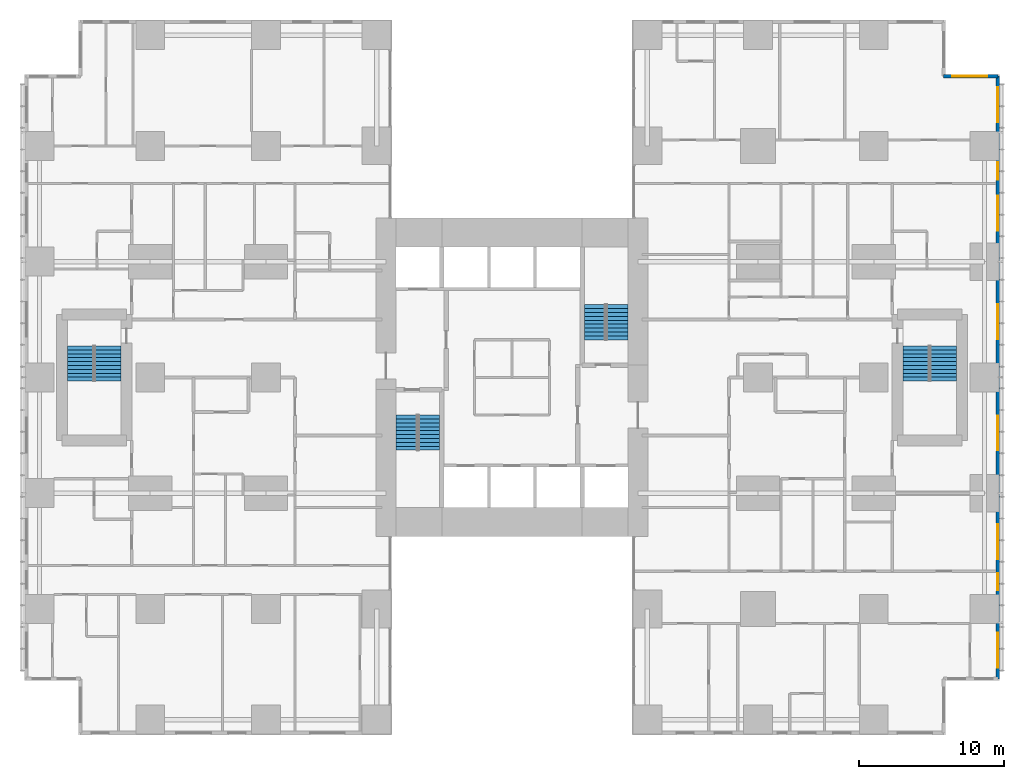
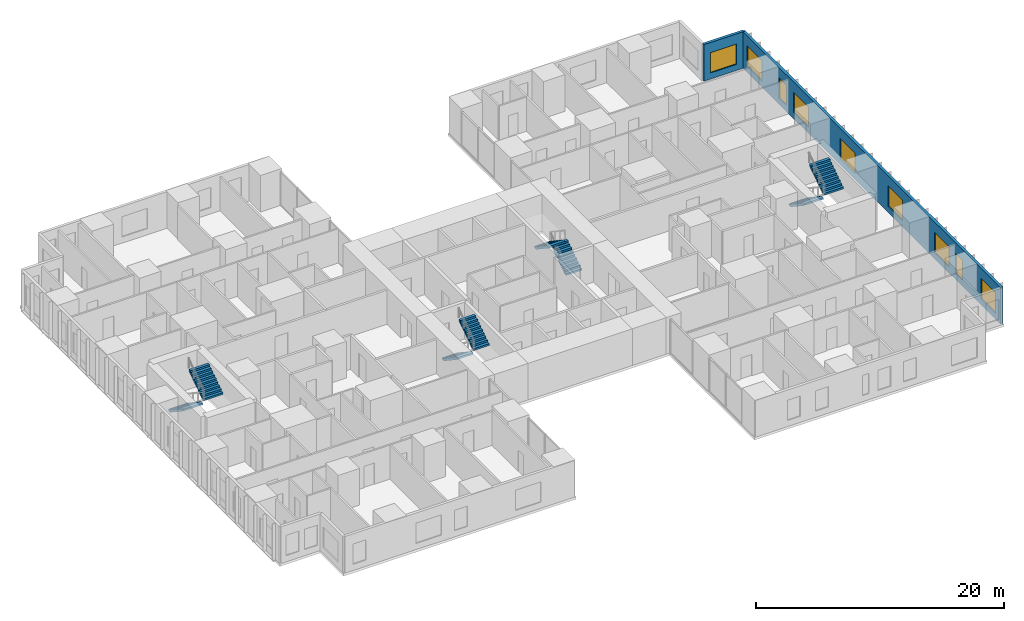
# One storey, part 19 of 20: 9 windows, 8 stair flights, 2 walls, 9 openings, 4 elements without a shape of their own.
"""IFC4 building model written with IfcOpenShell, lengths in metres."""

from ifc_helpers import new_model, si_unit, direction, frame, frame_2d, origin, place, context, subcontext, project, spatial, polyline, rectangle, outline, extrude, material, layer, layer_set, type_object, element, fill, aggregate, save


model = new_model("IFC4")

# Units and contexts
model_context = context("Model", 3, precision=1e-05, world=origin(), true_north=direction((0.0, 1.0)))
body_context = subcontext(model_context, "Body", "Model", "MODEL_VIEW")
ifc_project = project(units=[si_unit("LENGTHUNIT", "METRE"), si_unit("AREAUNIT", "SQUARE_METRE"), si_unit("VOLUMEUNIT", "CUBIC_METRE"), si_unit("PLANEANGLEUNIT", "RADIAN"), si_unit("MASSUNIT", "GRAM", prefix="KILO")], contexts=[model_context])

# Site, building, storey
site_placement = place(None, origin())
site = spatial("IfcSite", under=ifc_project, at=site_placement, CompositionType="ELEMENT")
building_placement = place(site_placement, origin())
building = spatial("IfcBuilding", under=site, at=building_placement, Name="Cleftline Residences", CompositionType="ELEMENT")
storey_placement = place(building_placement, frame((0.0, 0.0, 76.39990234375)))
storey = spatial("IfcBuildingStorey", under=building, at=storey_placement, Name="L19", CompositionType="ELEMENT", Elevation=76.39990234375)

# Wall, openings, windows
ifc_material_1 = material(Name="Rendered reinforced concrete blockwork", Category="masonry")
ifc_layer = layer(ifc_material_1, 0.25)
ifc_layer_set = layer_set([ifc_layer], Name="EXTERNAL WALL 250")
wall_type = type_object("IfcWallType", Name="EXTERNAL WALL 250", PredefinedType="SOLIDWALL", material=ifc_layer_set)
wall_1_placement = place(storey_placement, frame((66.574951171875, 3.175048828125, 0.0), z_axis=(0.0, 0.0, 1.0), x_axis=(0.0, 1.0, 0.0)))
wall_1 = element("IfcWall", 1, at=wall_1_placement, inside=storey, type_object=wall_type, Name="External wall", PredefinedType="SOLIDWALL", context=body_context, shape_type="SweptSolid", body=[
    extrude(rectangle(XDim=41.64990234375, YDim=0.25, at=frame_2d((20.824951171875, 0.0))), origin(), (0.0, 0.0, 1.0), 3.60009765625),
])
opening_1_placement = place(wall_1_placement, frame((0.77490234375, 0.0, 0.60009765625)))
opening_1 = element("IfcOpeningElement", 2, at=opening_1_placement, cuts=wall_1, Name="Opening W6", PredefinedType="OPENING", context=body_context, shape_type="SweptSolid", body=[
    extrude(rectangle(XDim=2.39990234375, YDim=2.0, at=frame_2d((1.199951171875, 1.0))), frame((0.0, 0.135009765625, 0.0), z_axis=(0.0, -1.0, 0.0), x_axis=(1.0, 0.0, 0.0)), (0.0, 0.0, 1.0), 0.27001953125),
])
opening_2_placement = place(wall_1_placement, frame((6.10009765625, 0.0, 0.60009765625)))
opening_2 = element("IfcOpeningElement", 3, at=opening_2_placement, cuts=wall_1, Name="Opening W8", PredefinedType="OPENING", context=body_context, shape_type="SweptSolid", body=[
    extrude(rectangle(XDim=1.199951171875, YDim=2.0, at=frame_2d((0.60009765625, 1.0))), frame((0.0, 0.135009765625, 0.0), z_axis=(0.0, -1.0, 0.0), x_axis=(1.0, 0.0, 0.0)), (0.0, 0.0, 1.0), 0.27001953125),
])
opening_3_placement = place(wall_1_placement, frame((8.27490234375, 0.0, 0.60009765625)))
opening_3 = element("IfcOpeningElement", 4, at=opening_3_placement, cuts=wall_1, Name="Opening W6", PredefinedType="OPENING", context=body_context, shape_type="SweptSolid", body=[
    extrude(rectangle(XDim=2.39990234375, YDim=2.0, at=frame_2d((1.199951171875, 1.0))), frame((0.0, 0.135009765625, 0.0), z_axis=(0.0, -1.0, 0.0), x_axis=(1.0, 0.0, 0.0)), (0.0, 0.0, 1.0), 0.27001953125),
])
opening_4_placement = place(wall_1_placement, frame((15.77490234375, 0.0, 0.60009765625)))
opening_4 = element("IfcOpeningElement", 5, at=opening_4_placement, cuts=wall_1, Name="Opening W6", PredefinedType="OPENING", context=body_context, shape_type="SweptSolid", body=[
    extrude(rectangle(XDim=2.39990234375, YDim=2.0, at=frame_2d((1.199951171875, 1.0))), frame((0.0, 0.135009765625, 0.0), z_axis=(0.0, -1.0, 0.0), x_axis=(1.0, 0.0, 0.0)), (0.0, 0.0, 1.0), 0.27001953125),
])
opening_5_placement = place(wall_1_placement, frame((23.47509765625, 0.0, 0.60009765625)))
opening_5 = element("IfcOpeningElement", 6, at=opening_5_placement, cuts=wall_1, Name="Opening W6", PredefinedType="OPENING", context=body_context, shape_type="SweptSolid", body=[
    extrude(rectangle(XDim=2.39990234375, YDim=2.0, at=frame_2d((1.199951171875, 1.0))), frame((0.0, 0.135009765625, 0.0), z_axis=(0.0, -1.0, 0.0), x_axis=(1.0, 0.0, 0.0)), (0.0, 0.0, 1.0), 0.27001953125),
])
opening_6_placement = place(wall_1_placement, frame((30.97509765625, 0.0, 0.60009765625)))
opening_6 = element("IfcOpeningElement", 7, at=opening_6_placement, cuts=wall_1, Name="Opening W6", PredefinedType="OPENING", context=body_context, shape_type="SweptSolid", body=[
    extrude(rectangle(XDim=2.39990234375, YDim=2.0, at=frame_2d((1.199951171875, 1.0))), frame((0.0, 0.135009765625, 0.0), z_axis=(0.0, -1.0, 0.0), x_axis=(1.0, 0.0, 0.0)), (0.0, 0.0, 1.0), 0.27001953125),
])
opening_7_placement = place(wall_1_placement, frame((34.5, 0.0, 0.60009765625)))
opening_7 = element("IfcOpeningElement", 8, at=opening_7_placement, cuts=wall_1, Name="Opening W8", PredefinedType="OPENING", context=body_context, shape_type="SweptSolid", body=[
    extrude(rectangle(XDim=1.199951171875, YDim=2.0, at=frame_2d((0.60009765625, 1.0))), frame((0.0, 0.135009765625, 0.0), z_axis=(0.0, -1.0, 0.0), x_axis=(1.0, 0.0, 0.0)), (0.0, 0.0, 1.0), 0.27001953125),
])
opening_8_placement = place(wall_1_placement, frame((38.47509765625, 0.0, 0.60009765625)))
opening_8 = element("IfcOpeningElement", 9, at=opening_8_placement, cuts=wall_1, Name="Opening W6", PredefinedType="OPENING", context=body_context, shape_type="SweptSolid", body=[
    extrude(rectangle(XDim=2.39990234375, YDim=2.0, at=frame_2d((1.199951171875, 1.0))), frame((0.0, 0.135009765625, 0.0), z_axis=(0.0, -1.0, 0.0), x_axis=(1.0, 0.0, 0.0)), (0.0, 0.0, 1.0), 0.27001953125),
])
ifc_material_2 = material(Name="Aluminium frame, clear double glazing", Category="aluminium")
window_type_1 = type_object("IfcWindowType", Name="WINDOW 1200X2000", PartitioningType="DOUBLE_PANEL_VERTICAL", PredefinedType="WINDOW", material=ifc_material_2)
window_1_placement = place(opening_2_placement, origin())
window_1 = element("IfcWindow", 10, at=window_1_placement, inside=storey, type_object=window_type_1, Name="Window", OverallHeight=2.0, OverallWidth=1.199951171875, PartitioningType="SINGLE_PANEL", PredefinedType="WINDOW", context=body_context, shape_type="SweptSolid", body=[
    extrude(rectangle(XDim=1.199951171875, YDim=2.0, at=frame_2d((0.60009765625, 1.0))), frame((0.0, 0.030029296875, 0.0), z_axis=(0.0, -1.0, 0.0), x_axis=(1.0, 0.0, 0.0)), (0.0, 0.0, 1.0), 0.06005859375),
])
fill(opening_2, window_1)
window_2_placement = place(opening_7_placement, origin())
window_2 = element("IfcWindow", 11, at=window_2_placement, inside=storey, type_object=window_type_1, Name="Window", OverallHeight=2.0, OverallWidth=1.199951171875, PartitioningType="SINGLE_PANEL", PredefinedType="WINDOW", context=body_context, shape_type="SweptSolid", body=[
    extrude(rectangle(XDim=1.199951171875, YDim=2.0, at=frame_2d((0.60009765625, 1.0))), frame((0.0, 0.030029296875, 0.0), z_axis=(0.0, -1.0, 0.0), x_axis=(1.0, 0.0, 0.0)), (0.0, 0.0, 1.0), 0.06005859375),
])
fill(opening_7, window_2)
ifc_material_3 = material(Name="Aluminium frame, clear double glazing", Category="aluminium")
window_type_2 = type_object("IfcWindowType", Name="WINDOW 2400X2000", PartitioningType="DOUBLE_PANEL_VERTICAL", PredefinedType="WINDOW", material=ifc_material_3)
window_3_placement = place(opening_1_placement, origin())
window_3 = element("IfcWindow", 12, at=window_3_placement, inside=storey, type_object=window_type_2, Name="Window", OverallHeight=2.0, OverallWidth=2.39990234375, PartitioningType="SINGLE_PANEL", PredefinedType="WINDOW", context=body_context, shape_type="SweptSolid", body=[
    extrude(rectangle(XDim=2.39990234375, YDim=2.0, at=frame_2d((1.199951171875, 1.0))), frame((0.0, 0.030029296875, 0.0), z_axis=(0.0, -1.0, 0.0), x_axis=(1.0, 0.0, 0.0)), (0.0, 0.0, 1.0), 0.06005859375),
])
fill(opening_1, window_3)
window_4_placement = place(opening_3_placement, origin())
window_4 = element("IfcWindow", 13, at=window_4_placement, inside=storey, type_object=window_type_2, Name="Window", OverallHeight=2.0, OverallWidth=2.39990234375, PartitioningType="SINGLE_PANEL", PredefinedType="WINDOW", context=body_context, shape_type="SweptSolid", body=[
    extrude(rectangle(XDim=2.39990234375, YDim=2.0, at=frame_2d((1.199951171875, 1.0))), frame((0.0, 0.030029296875, 0.0), z_axis=(0.0, -1.0, 0.0), x_axis=(1.0, 0.0, 0.0)), (0.0, 0.0, 1.0), 0.06005859375),
])
fill(opening_3, window_4)
window_5_placement = place(opening_4_placement, origin())
window_5 = element("IfcWindow", 14, at=window_5_placement, inside=storey, type_object=window_type_2, Name="Window", OverallHeight=2.0, OverallWidth=2.39990234375, PartitioningType="SINGLE_PANEL", PredefinedType="WINDOW", context=body_context, shape_type="SweptSolid", body=[
    extrude(rectangle(XDim=2.39990234375, YDim=2.0, at=frame_2d((1.199951171875, 1.0))), frame((0.0, 0.030029296875, 0.0), z_axis=(0.0, -1.0, 0.0), x_axis=(1.0, 0.0, 0.0)), (0.0, 0.0, 1.0), 0.06005859375),
])
fill(opening_4, window_5)
window_6_placement = place(opening_5_placement, origin())
window_6 = element("IfcWindow", 15, at=window_6_placement, inside=storey, type_object=window_type_2, Name="Window", OverallHeight=2.0, OverallWidth=2.39990234375, PartitioningType="SINGLE_PANEL", PredefinedType="WINDOW", context=body_context, shape_type="SweptSolid", body=[
    extrude(rectangle(XDim=2.39990234375, YDim=2.0, at=frame_2d((1.199951171875, 1.0))), frame((0.0, 0.030029296875, 0.0), z_axis=(0.0, -1.0, 0.0), x_axis=(1.0, 0.0, 0.0)), (0.0, 0.0, 1.0), 0.06005859375),
])
fill(opening_5, window_6)
window_7_placement = place(opening_6_placement, origin())
window_7 = element("IfcWindow", 16, at=window_7_placement, inside=storey, type_object=window_type_2, Name="Window", OverallHeight=2.0, OverallWidth=2.39990234375, PartitioningType="SINGLE_PANEL", PredefinedType="WINDOW", context=body_context, shape_type="SweptSolid", body=[
    extrude(rectangle(XDim=2.39990234375, YDim=2.0, at=frame_2d((1.199951171875, 1.0))), frame((0.0, 0.030029296875, 0.0), z_axis=(0.0, -1.0, 0.0), x_axis=(1.0, 0.0, 0.0)), (0.0, 0.0, 1.0), 0.06005859375),
])
fill(opening_6, window_7)
window_8_placement = place(opening_8_placement, origin())
window_8 = element("IfcWindow", 17, at=window_8_placement, inside=storey, type_object=window_type_2, Name="Window", OverallHeight=2.0, OverallWidth=2.39990234375, PartitioningType="SINGLE_PANEL", PredefinedType="WINDOW", context=body_context, shape_type="SweptSolid", body=[
    extrude(rectangle(XDim=2.39990234375, YDim=2.0, at=frame_2d((1.199951171875, 1.0))), frame((0.0, 0.030029296875, 0.0), z_axis=(0.0, -1.0, 0.0), x_axis=(1.0, 0.0, 0.0)), (0.0, 0.0, 1.0), 0.06005859375),
])
fill(opening_8, window_8)

# Wall, opening, window
wall_2_placement = place(storey_placement, frame((66.574951171875, 44.824951171875, 0.0), z_axis=(0.0, 0.0, 1.0), x_axis=(-1.0, 0.0, 0.0)))
wall_2 = element("IfcWall", 18, at=wall_2_placement, inside=storey, type_object=wall_type, Name="External wall", PredefinedType="SOLIDWALL", context=body_context, shape_type="SweptSolid", body=[
    extrude(rectangle(XDim=3.75, YDim=0.25, at=frame_2d((1.875, 0.0))), origin(), (0.0, 0.0, 1.0), 3.60009765625),
])
opening_9_placement = place(wall_2_placement, frame((0.737548828125, 0.0, 0.60009765625)))
opening_9 = element("IfcOpeningElement", 19, at=opening_9_placement, cuts=wall_2, Name="Opening W6", PredefinedType="OPENING", context=body_context, shape_type="SweptSolid", body=[
    extrude(rectangle(XDim=2.39990234375, YDim=2.0, at=frame_2d((1.199951171875, 1.0))), frame((0.0, 0.135009765625, 0.0), z_axis=(0.0, -1.0, 0.0), x_axis=(1.0, 0.0, 0.0)), (0.0, 0.0, 1.0), 0.27001953125),
])
window_9_placement = place(opening_9_placement, origin())
window_9 = element("IfcWindow", 20, at=window_9_placement, inside=storey, type_object=window_type_2, Name="Window", OverallHeight=2.0, OverallWidth=2.39990234375, PartitioningType="SINGLE_PANEL", PredefinedType="WINDOW", context=body_context, shape_type="SweptSolid", body=[
    extrude(rectangle(XDim=2.39990234375, YDim=2.0, at=frame_2d((1.199951171875, 1.0))), frame((0.0, 0.030029296875, 0.0), z_axis=(0.0, -1.0, 0.0), x_axis=(1.0, 0.0, 0.0)), (0.0, 0.0, 1.0), 0.06005859375),
])
fill(opening_9, window_9)

# Stair, stair flights
ifc_material_4 = material(Name="Concrete B45, stone treads", Category="masonry")
stair_type_1 = type_object("IfcStairType", Name="STAIR A 1450 WIDE 180 RISER", PredefinedType="HALF_TURN_STAIR", material=ifc_material_4)
stair_1_placement = place(storey_placement, origin())
stair_1 = element("IfcStair", 21, at=stair_1_placement, inside=storey, type_object=stair_type_1, Name="Stair A L19", PredefinedType="HALF_TURN_STAIR")
ifc_material_5 = material(Name="Concrete B45", Category="concrete")
stair_flight_type_1 = type_object("IfcStairFlightType", Name="STAIR A FLIGHT 1450X180", PredefinedType="STRAIGHT", material=ifc_material_5)
stair_flight_1_placement = place(storey_placement, frame((25.72509765625, 21.39990234375, 0.0), z_axis=(0.0, 0.0, 1.0), x_axis=(0.0, -1.0, 0.0)))
stair_flight_1 = element("IfcStairFlight", 22, at=stair_flight_1_placement, type_object=stair_flight_type_1, Name="ST-A flight 1", NumberOfRisers=10, NumberOfTreads=9, PredefinedType="STRAIGHT", RiserHeight=0.18, TreadLength=0.27, context=body_context, shape_type="SweptSolid", body=[
    extrude(outline(polyline([(0.0, 0.0), (0.0, 0.013916015625), (0.0, 0.027587890625), (0.0, 0.04150390625), (0.0, 0.055419921875), (0.0, 0.0693359375), (0.0, 0.0830078125), (0.0, 0.096923828125), (0.0, 0.11083984375), (0.0, 0.12451171875), (0.0, 0.138427734375), (0.0, 0.15234375), (0.0, 0.166259765625), (0.0, 0.179931640625), (0.27001953125, 0.179931640625), (0.27001953125, 0.360107421875), (0.5400390625, 0.360107421875), (0.5400390625, 0.5400390625), (0.81005859375, 0.5400390625), (0.81005859375, 0.719970703125), (1.080078125, 0.719970703125), (1.080078125, 0.89990234375), (1.35009765625, 0.89990234375), (1.35009765625, 1.080078125), (1.6201171875, 1.080078125), (1.6201171875, 1.260009765625), (1.889892578125, 1.260009765625), (1.889892578125, 1.43994140625), (2.159912109375, 1.43994140625), (2.159912109375, 1.6201171875), (2.429931640625, 1.6201171875), (2.429931640625, 1.800048828125), (2.429931640625, 1.772216796875), (2.429931640625, 1.74462890625), (2.429931640625, 1.716796875), (2.429931640625, 1.689208984375), (2.429931640625, 1.661376953125), (2.429931640625, 1.6337890625), (2.429931640625, 1.60595703125), (2.429931640625, 1.578369140625), (2.429931640625, 1.550537109375), (2.429931640625, 1.52294921875), (2.429931640625, 1.495361328125), (2.429931640625, 1.467529296875), (2.429931640625, 1.43994140625), (0.270263671875, 0.0), (0.0, 0.0)])), frame((0.0, 0.72509765625, 0.0), z_axis=(0.0, -1.0, 0.0), x_axis=(1.0, 0.0, 0.0)), (0.0, 0.0, 1.0), 1.449951171875),
])
stair_flight_2_placement = place(storey_placement, frame((27.27490234375, 18.969970703125, 1.800048828125), z_axis=(0.0, 0.0, 1.0), x_axis=(0.0, 1.0, 0.0)))
stair_flight_2 = element("IfcStairFlight", 23, at=stair_flight_2_placement, type_object=stair_flight_type_1, Name="ST-A flight 2", NumberOfRisers=10, NumberOfTreads=9, PredefinedType="STRAIGHT", RiserHeight=0.18, TreadLength=0.27, context=body_context, shape_type="SweptSolid", body=[
    extrude(outline(polyline([(0.0, 0.0), (0.0, 0.013916015625), (0.0, 0.027587890625), (0.0, 0.04150390625), (0.0, 0.055419921875), (0.0, 0.0693359375), (0.0, 0.0830078125), (0.0, 0.096923828125), (0.0, 0.11083984375), (0.0, 0.12451171875), (0.0, 0.138427734375), (0.0, 0.15234375), (0.0, 0.166259765625), (0.0, 0.179931640625), (0.27001953125, 0.179931640625), (0.27001953125, 0.360107421875), (0.5400390625, 0.360107421875), (0.5400390625, 0.5400390625), (0.81005859375, 0.5400390625), (0.81005859375, 0.719970703125), (1.080078125, 0.719970703125), (1.080078125, 0.89990234375), (1.35009765625, 0.89990234375), (1.35009765625, 1.080078125), (1.6201171875, 1.080078125), (1.6201171875, 1.260009765625), (1.889892578125, 1.260009765625), (1.889892578125, 1.43994140625), (2.159912109375, 1.43994140625), (2.159912109375, 1.6201171875), (2.429931640625, 1.6201171875), (2.429931640625, 1.800048828125), (2.429931640625, 1.772216796875), (2.429931640625, 1.74462890625), (2.429931640625, 1.716796875), (2.429931640625, 1.689208984375), (2.429931640625, 1.661376953125), (2.429931640625, 1.6337890625), (2.429931640625, 1.60595703125), (2.429931640625, 1.578369140625), (2.429931640625, 1.550537109375), (2.429931640625, 1.52294921875), (2.429931640625, 1.495361328125), (2.429931640625, 1.467529296875), (2.429931640625, 1.43994140625), (0.270263671875, 0.0), (0.0, 0.0)])), frame((0.0, 0.72509765625, 0.0), z_axis=(0.0, -1.0, 0.0), x_axis=(1.0, 0.0, 0.0)), (0.0, 0.0, 1.0), 1.449951171875),
])
aggregate(stair_1, [stair_flight_1, stair_flight_2])

ifc_material_6 = material(Name="Concrete B45, stone treads", Category="masonry")
stair_type_2 = type_object("IfcStairType", Name="STAIR B 1450 WIDE 180 RISER", PredefinedType="HALF_TURN_STAIR", material=ifc_material_6)
stair_2_placement = place(storey_placement, origin())
stair_2 = element("IfcStair", 24, at=stair_2_placement, inside=storey, type_object=stair_type_2, Name="Stair B L19", PredefinedType="HALF_TURN_STAIR")
ifc_material_7 = material(Name="Concrete B45", Category="concrete")
stair_flight_type_2 = type_object("IfcStairFlightType", Name="STAIR B FLIGHT 1450X180", PredefinedType="STRAIGHT", material=ifc_material_7)
stair_flight_3_placement = place(storey_placement, frame((40.27490234375, 26.60009765625, 0.0), z_axis=(0.0, 0.0, 1.0), x_axis=(0.0, 1.0, 0.0)))
stair_flight_3 = element("IfcStairFlight", 25, at=stair_flight_3_placement, type_object=stair_flight_type_2, Name="ST-B flight 1", NumberOfRisers=10, NumberOfTreads=9, PredefinedType="STRAIGHT", RiserHeight=0.18, TreadLength=0.27, context=body_context, shape_type="SweptSolid", body=[
    extrude(outline(polyline([(0.0, 0.0), (0.0, 0.013916015625), (0.0, 0.027587890625), (0.0, 0.04150390625), (0.0, 0.055419921875), (0.0, 0.0693359375), (0.0, 0.0830078125), (0.0, 0.096923828125), (0.0, 0.11083984375), (0.0, 0.12451171875), (0.0, 0.138427734375), (0.0, 0.15234375), (0.0, 0.166259765625), (0.0, 0.179931640625), (0.27001953125, 0.179931640625), (0.27001953125, 0.360107421875), (0.5400390625, 0.360107421875), (0.5400390625, 0.5400390625), (0.81005859375, 0.5400390625), (0.81005859375, 0.719970703125), (1.080078125, 0.719970703125), (1.080078125, 0.89990234375), (1.35009765625, 0.89990234375), (1.35009765625, 1.080078125), (1.6201171875, 1.080078125), (1.6201171875, 1.260009765625), (1.889892578125, 1.260009765625), (1.889892578125, 1.43994140625), (2.159912109375, 1.43994140625), (2.159912109375, 1.6201171875), (2.429931640625, 1.6201171875), (2.429931640625, 1.800048828125), (2.429931640625, 1.772216796875), (2.429931640625, 1.74462890625), (2.429931640625, 1.716796875), (2.429931640625, 1.689208984375), (2.429931640625, 1.661376953125), (2.429931640625, 1.6337890625), (2.429931640625, 1.60595703125), (2.429931640625, 1.578369140625), (2.429931640625, 1.550537109375), (2.429931640625, 1.52294921875), (2.429931640625, 1.495361328125), (2.429931640625, 1.467529296875), (2.429931640625, 1.43994140625), (0.270263671875, 0.0), (0.0, 0.0)])), frame((0.0, 0.72509765625, 0.0), z_axis=(0.0, -1.0, 0.0), x_axis=(1.0, 0.0, 0.0)), (0.0, 0.0, 1.0), 1.449951171875),
])
stair_flight_4_placement = place(storey_placement, frame((38.72509765625, 29.030029296875, 1.800048828125), z_axis=(0.0, 0.0, 1.0), x_axis=(0.0, -1.0, 0.0)))
stair_flight_4 = element("IfcStairFlight", 26, at=stair_flight_4_placement, type_object=stair_flight_type_2, Name="ST-B flight 2", NumberOfRisers=10, NumberOfTreads=9, PredefinedType="STRAIGHT", RiserHeight=0.18, TreadLength=0.27, context=body_context, shape_type="SweptSolid", body=[
    extrude(outline(polyline([(0.0, 0.0), (0.0, 0.013916015625), (0.0, 0.027587890625), (0.0, 0.04150390625), (0.0, 0.055419921875), (0.0, 0.0693359375), (0.0, 0.0830078125), (0.0, 0.096923828125), (0.0, 0.11083984375), (0.0, 0.12451171875), (0.0, 0.138427734375), (0.0, 0.15234375), (0.0, 0.166259765625), (0.0, 0.179931640625), (0.27001953125, 0.179931640625), (0.27001953125, 0.360107421875), (0.5400390625, 0.360107421875), (0.5400390625, 0.5400390625), (0.81005859375, 0.5400390625), (0.81005859375, 0.719970703125), (1.080078125, 0.719970703125), (1.080078125, 0.89990234375), (1.35009765625, 0.89990234375), (1.35009765625, 1.080078125), (1.6201171875, 1.080078125), (1.6201171875, 1.260009765625), (1.889892578125, 1.260009765625), (1.889892578125, 1.43994140625), (2.159912109375, 1.43994140625), (2.159912109375, 1.6201171875), (2.429931640625, 1.6201171875), (2.429931640625, 1.800048828125), (2.429931640625, 1.772216796875), (2.429931640625, 1.74462890625), (2.429931640625, 1.716796875), (2.429931640625, 1.689208984375), (2.429931640625, 1.661376953125), (2.429931640625, 1.6337890625), (2.429931640625, 1.60595703125), (2.429931640625, 1.578369140625), (2.429931640625, 1.550537109375), (2.429931640625, 1.52294921875), (2.429931640625, 1.495361328125), (2.429931640625, 1.467529296875), (2.429931640625, 1.43994140625), (0.270263671875, 0.0), (0.0, 0.0)])), frame((0.0, 0.72509765625, 0.0), z_axis=(0.0, -1.0, 0.0), x_axis=(1.0, 0.0, 0.0)), (0.0, 0.0, 1.0), 1.449951171875),
])
aggregate(stair_2, [stair_flight_3, stair_flight_4])

ifc_material_8 = material(Name="Concrete B45, stone treads", Category="masonry")
stair_type_3 = type_object("IfcStairType", Name="STAIR E 1800 WIDE 180 RISER", PredefinedType="HALF_TURN_STAIR", material=ifc_material_8)
stair_3_placement = place(storey_placement, origin())
stair_3 = element("IfcStair", 27, at=stair_3_placement, inside=storey, type_object=stair_type_3, Name="Stair E L19", PredefinedType="HALF_TURN_STAIR")
ifc_material_9 = material(Name="Concrete B45", Category="concrete")
stair_flight_type_3 = type_object("IfcStairFlightType", Name="STAIR E FLIGHT 1800X180", PredefinedType="STRAIGHT", material=ifc_material_9)
stair_flight_5_placement = place(storey_placement, frame((60.925048828125, 26.175048828125, 0.0), z_axis=(0.0, 0.0, 1.0), x_axis=(0.0, -1.0, 0.0)))
stair_flight_5 = element("IfcStairFlight", 28, at=stair_flight_5_placement, type_object=stair_flight_type_3, Name="ST-E flight 1", NumberOfRisers=10, NumberOfTreads=9, PredefinedType="STRAIGHT", RiserHeight=0.18, TreadLength=0.27, context=body_context, shape_type="SweptSolid", body=[
    extrude(outline(polyline([(0.0, 0.0), (0.0, 0.013916015625), (0.0, 0.027587890625), (0.0, 0.04150390625), (0.0, 0.055419921875), (0.0, 0.0693359375), (0.0, 0.0830078125), (0.0, 0.096923828125), (0.0, 0.11083984375), (0.0, 0.12451171875), (0.0, 0.138427734375), (0.0, 0.15234375), (0.0, 0.166259765625), (0.0, 0.179931640625), (0.27001953125, 0.179931640625), (0.27001953125, 0.360107421875), (0.5400390625, 0.360107421875), (0.5400390625, 0.5400390625), (0.81005859375, 0.5400390625), (0.81005859375, 0.719970703125), (1.080078125, 0.719970703125), (1.080078125, 0.89990234375), (1.35009765625, 0.89990234375), (1.35009765625, 1.080078125), (1.6201171875, 1.080078125), (1.6201171875, 1.260009765625), (1.889892578125, 1.260009765625), (1.889892578125, 1.43994140625), (2.159912109375, 1.43994140625), (2.159912109375, 1.6201171875), (2.429931640625, 1.6201171875), (2.429931640625, 1.800048828125), (2.429931640625, 1.772216796875), (2.429931640625, 1.74462890625), (2.429931640625, 1.716796875), (2.429931640625, 1.689208984375), (2.429931640625, 1.661376953125), (2.429931640625, 1.6337890625), (2.429931640625, 1.60595703125), (2.429931640625, 1.578369140625), (2.429931640625, 1.550537109375), (2.429931640625, 1.52294921875), (2.429931640625, 1.495361328125), (2.429931640625, 1.467529296875), (2.429931640625, 1.43994140625), (0.270263671875, 0.0), (0.0, 0.0)])), frame((0.0, 0.89990234375, 0.0), z_axis=(0.0, -1.0, 0.0), x_axis=(1.0, 0.0, 0.0)), (0.0, 0.0, 1.0), 1.800048828125),
])
stair_flight_6_placement = place(storey_placement, frame((62.824951171875, 23.7451171875, 1.800048828125), z_axis=(0.0, 0.0, 1.0), x_axis=(0.0, 1.0, 0.0)))
stair_flight_6 = element("IfcStairFlight", 29, at=stair_flight_6_placement, type_object=stair_flight_type_3, Name="ST-E flight 2", NumberOfRisers=10, NumberOfTreads=9, PredefinedType="STRAIGHT", RiserHeight=0.18, TreadLength=0.27, context=body_context, shape_type="SweptSolid", body=[
    extrude(outline(polyline([(0.0, 0.0), (0.0, 0.013916015625), (0.0, 0.027587890625), (0.0, 0.04150390625), (0.0, 0.055419921875), (0.0, 0.0693359375), (0.0, 0.0830078125), (0.0, 0.096923828125), (0.0, 0.11083984375), (0.0, 0.12451171875), (0.0, 0.138427734375), (0.0, 0.15234375), (0.0, 0.166259765625), (0.0, 0.179931640625), (0.27001953125, 0.179931640625), (0.27001953125, 0.360107421875), (0.5400390625, 0.360107421875), (0.5400390625, 0.5400390625), (0.81005859375, 0.5400390625), (0.81005859375, 0.719970703125), (1.080078125, 0.719970703125), (1.080078125, 0.89990234375), (1.35009765625, 0.89990234375), (1.35009765625, 1.080078125), (1.6201171875, 1.080078125), (1.6201171875, 1.260009765625), (1.889892578125, 1.260009765625), (1.889892578125, 1.43994140625), (2.159912109375, 1.43994140625), (2.159912109375, 1.6201171875), (2.429931640625, 1.6201171875), (2.429931640625, 1.800048828125), (2.429931640625, 1.772216796875), (2.429931640625, 1.74462890625), (2.429931640625, 1.716796875), (2.429931640625, 1.689208984375), (2.429931640625, 1.661376953125), (2.429931640625, 1.6337890625), (2.429931640625, 1.60595703125), (2.429931640625, 1.578369140625), (2.429931640625, 1.550537109375), (2.429931640625, 1.52294921875), (2.429931640625, 1.495361328125), (2.429931640625, 1.467529296875), (2.429931640625, 1.43994140625), (0.270263671875, 0.0), (0.0, 0.0)])), frame((0.0, 0.89990234375, 0.0), z_axis=(0.0, -1.0, 0.0), x_axis=(1.0, 0.0, 0.0)), (0.0, 0.0, 1.0), 1.800048828125),
])
aggregate(stair_3, [stair_flight_5, stair_flight_6])

ifc_material_10 = material(Name="Concrete B45, stone treads", Category="masonry")
stair_type_4 = type_object("IfcStairType", Name="STAIR W 1800 WIDE 180 RISER", PredefinedType="HALF_TURN_STAIR", material=ifc_material_10)
stair_4_placement = place(storey_placement, origin())
stair_4 = element("IfcStair", 30, at=stair_4_placement, inside=storey, type_object=stair_type_4, Name="Stair W L19", PredefinedType="HALF_TURN_STAIR")
ifc_material_11 = material(Name="Concrete B45", Category="concrete")
stair_flight_type_4 = type_object("IfcStairFlightType", Name="STAIR W FLIGHT 1800X180", PredefinedType="STRAIGHT", material=ifc_material_11)
stair_flight_7_placement = place(storey_placement, frame((3.175048828125, 26.175048828125, 0.0), z_axis=(0.0, 0.0, 1.0), x_axis=(0.0, -1.0, 0.0)))
stair_flight_7 = element("IfcStairFlight", 31, at=stair_flight_7_placement, type_object=stair_flight_type_4, Name="ST-W flight 1", NumberOfRisers=10, NumberOfTreads=9, PredefinedType="STRAIGHT", RiserHeight=0.18, TreadLength=0.27, context=body_context, shape_type="SweptSolid", body=[
    extrude(outline(polyline([(0.0, 0.0), (0.0, 0.013916015625), (0.0, 0.027587890625), (0.0, 0.04150390625), (0.0, 0.055419921875), (0.0, 0.0693359375), (0.0, 0.0830078125), (0.0, 0.096923828125), (0.0, 0.11083984375), (0.0, 0.12451171875), (0.0, 0.138427734375), (0.0, 0.15234375), (0.0, 0.166259765625), (0.0, 0.179931640625), (0.27001953125, 0.179931640625), (0.27001953125, 0.360107421875), (0.5400390625, 0.360107421875), (0.5400390625, 0.5400390625), (0.81005859375, 0.5400390625), (0.81005859375, 0.719970703125), (1.080078125, 0.719970703125), (1.080078125, 0.89990234375), (1.35009765625, 0.89990234375), (1.35009765625, 1.080078125), (1.6201171875, 1.080078125), (1.6201171875, 1.260009765625), (1.889892578125, 1.260009765625), (1.889892578125, 1.43994140625), (2.159912109375, 1.43994140625), (2.159912109375, 1.6201171875), (2.429931640625, 1.6201171875), (2.429931640625, 1.800048828125), (2.429931640625, 1.772216796875), (2.429931640625, 1.74462890625), (2.429931640625, 1.716796875), (2.429931640625, 1.689208984375), (2.429931640625, 1.661376953125), (2.429931640625, 1.6337890625), (2.429931640625, 1.60595703125), (2.429931640625, 1.578369140625), (2.429931640625, 1.550537109375), (2.429931640625, 1.52294921875), (2.429931640625, 1.495361328125), (2.429931640625, 1.467529296875), (2.429931640625, 1.43994140625), (0.270263671875, 0.0), (0.0, 0.0)])), frame((0.0, 0.89990234375, 0.0), z_axis=(0.0, -1.0, 0.0), x_axis=(1.0, 0.0, 0.0)), (0.0, 0.0, 1.0), 1.800048828125),
])
stair_flight_8_placement = place(storey_placement, frame((5.074951171875, 23.7451171875, 1.800048828125), z_axis=(0.0, 0.0, 1.0), x_axis=(0.0, 1.0, 0.0)))
stair_flight_8 = element("IfcStairFlight", 32, at=stair_flight_8_placement, type_object=stair_flight_type_4, Name="ST-W flight 2", NumberOfRisers=10, NumberOfTreads=9, PredefinedType="STRAIGHT", RiserHeight=0.18, TreadLength=0.27, context=body_context, shape_type="SweptSolid", body=[
    extrude(outline(polyline([(0.0, 0.0), (0.0, 0.013916015625), (0.0, 0.027587890625), (0.0, 0.04150390625), (0.0, 0.055419921875), (0.0, 0.0693359375), (0.0, 0.0830078125), (0.0, 0.096923828125), (0.0, 0.11083984375), (0.0, 0.12451171875), (0.0, 0.138427734375), (0.0, 0.15234375), (0.0, 0.166259765625), (0.0, 0.179931640625), (0.27001953125, 0.179931640625), (0.27001953125, 0.360107421875), (0.5400390625, 0.360107421875), (0.5400390625, 0.5400390625), (0.81005859375, 0.5400390625), (0.81005859375, 0.719970703125), (1.080078125, 0.719970703125), (1.080078125, 0.89990234375), (1.35009765625, 0.89990234375), (1.35009765625, 1.080078125), (1.6201171875, 1.080078125), (1.6201171875, 1.260009765625), (1.889892578125, 1.260009765625), (1.889892578125, 1.43994140625), (2.159912109375, 1.43994140625), (2.159912109375, 1.6201171875), (2.429931640625, 1.6201171875), (2.429931640625, 1.800048828125), (2.429931640625, 1.772216796875), (2.429931640625, 1.74462890625), (2.429931640625, 1.716796875), (2.429931640625, 1.689208984375), (2.429931640625, 1.661376953125), (2.429931640625, 1.6337890625), (2.429931640625, 1.60595703125), (2.429931640625, 1.578369140625), (2.429931640625, 1.550537109375), (2.429931640625, 1.52294921875), (2.429931640625, 1.495361328125), (2.429931640625, 1.467529296875), (2.429931640625, 1.43994140625), (0.270263671875, 0.0), (0.0, 0.0)])), frame((0.0, 0.89990234375, 0.0), z_axis=(0.0, -1.0, 0.0), x_axis=(1.0, 0.0, 0.0)), (0.0, 0.0, 1.0), 1.800048828125),
])
aggregate(stair_4, [stair_flight_7, stair_flight_8])

save(model, "model.ifc")
